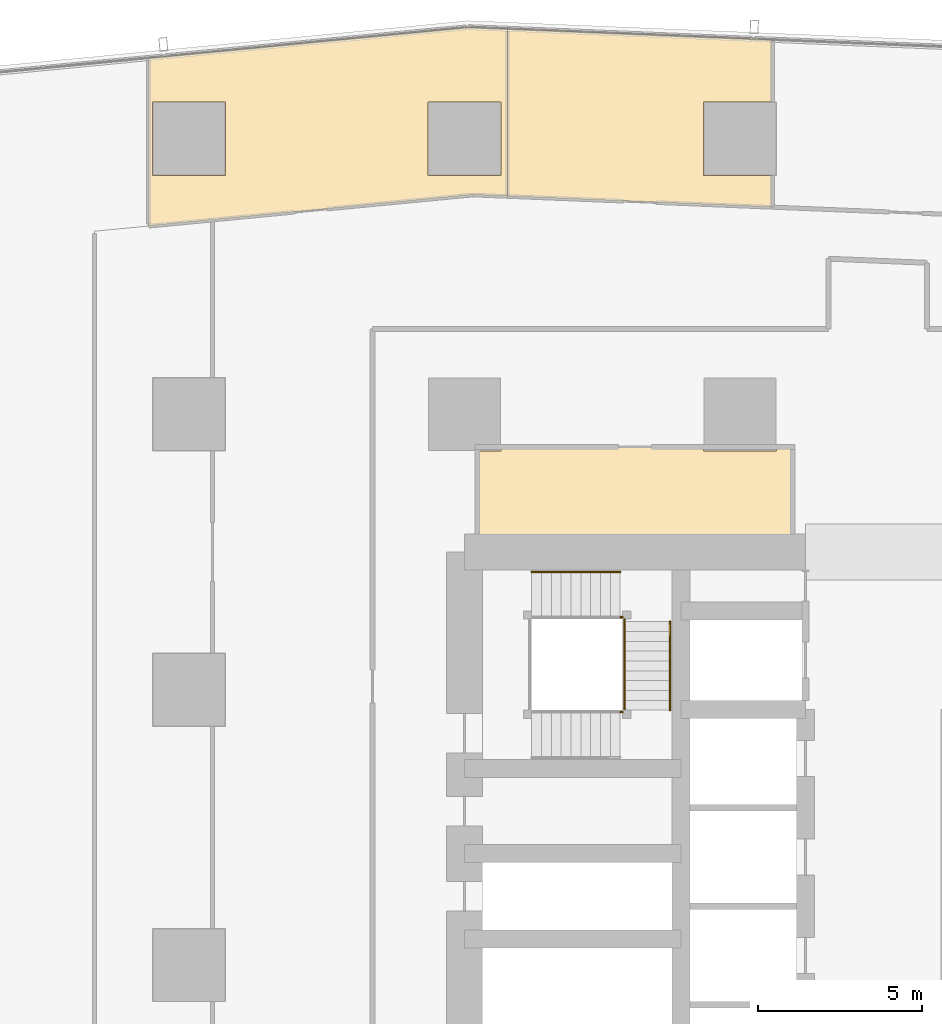
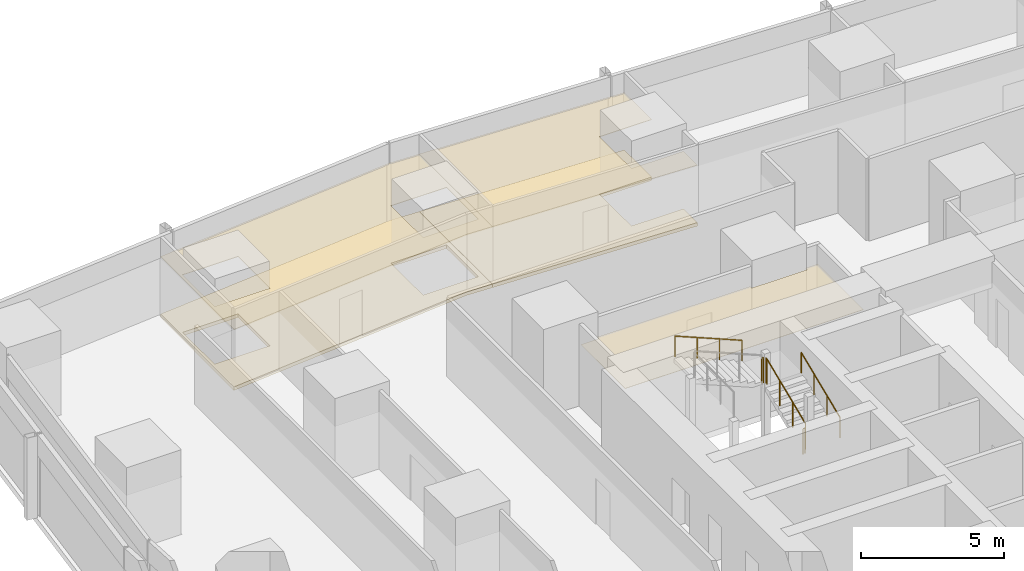
# One storey, part 41 of 44: 6 railings, 5 coverings.
"""IFC4 building model written with IfcOpenShell, lengths in metres."""

from ifc_helpers import new_model, si_unit, direction, frame, origin, origin_2d, place, context, subcontext, project, spatial, polyline, circle, outline, extrude, material, layer, layer_set, type_object, element, save


model = new_model("IFC4")

# Units and contexts
model_context = context("Model", 3, precision=1e-05, world=origin(), true_north=direction((0.0, 1.0)))
body_context = subcontext(model_context, "Body", "Model", "MODEL_VIEW")
ifc_project = project(units=[si_unit("LENGTHUNIT", "METRE"), si_unit("AREAUNIT", "SQUARE_METRE"), si_unit("VOLUMEUNIT", "CUBIC_METRE"), si_unit("PLANEANGLEUNIT", "RADIAN"), si_unit("MASSUNIT", "GRAM", prefix="KILO")], contexts=[model_context])

# Site, building, storey
site_placement = place(None, origin())
site = spatial("IfcSite", under=ifc_project, at=site_placement, CompositionType="ELEMENT")
building_placement = place(site_placement, origin())
building = spatial("IfcBuilding", under=site, at=building_placement, Name="Rekha Terrace Tower", CompositionType="ELEMENT")
storey_placement = place(building_placement, frame((0.0, 0.0, 62.89990234375)))
storey = spatial("IfcBuildingStorey", under=building, at=storey_placement, Name="L15", CompositionType="ELEMENT", Elevation=62.89990234375)

# Coverings
ifc_material_1 = material(Name="Mineral fibre tile in exposed grid", Category="finish")
ifc_layer_1 = layer(ifc_material_1, 0.02001953125)
ifc_layer_set_1 = layer_set([ifc_layer_1], Name="Mineral fibre tile in exposed grid")
covering_type_1 = type_object("IfcCoveringType", Name="CL1 600x1200 office grid ceiling", PredefinedType="CEILING", material=ifc_layer_set_1)
covering_1_placement = place(storey_placement, frame((0.0, 0.0, 2.580078125)))
element("IfcCovering", 1, at=covering_1_placement, inside=storey, type_object=covering_type_1, Name="Ceiling L15-18", PredefinedType="CEILING", context=body_context, shape_type="SweptSolid", body=[
    extrude(outline(polyline([(34.5830078125, 59.9150390625), (34.5830078125, 61.818115234375), (26.510009765625, 62.15087890625), (26.510009765625, 57.047119140625), (34.5830078125, 56.714111328125), (34.5830078125, 57.68505859375), (32.485107421875, 57.68505859375), (32.485107421875, 59.9150390625), (34.5830078125, 59.9150390625)])), origin(), (0.0, 0.0, 1.0), 0.02001953125),
])
covering_2_placement = place(storey_placement, frame((0.0, 0.0, 2.580078125)))
element("IfcCovering", 2, at=covering_2_placement, inside=storey, type_object=covering_type_1, Name="Ceiling L15-19", PredefinedType="CEILING", context=body_context, shape_type="SweptSolid", body=[
    extrude(outline(polyline([(25.325927734375, 62.199951171875), (15.572998046875, 61.261962890625), (15.572998046875, 56.138916015625), (25.466064453125, 57.090087890625), (26.509033203125, 57.047119140625), (26.509033203125, 62.15087890625), (25.325927734375, 62.199951171875)]), holes=[polyline([(26.31494140625, 57.68505859375), (24.0849609375, 57.68505859375), (24.0849609375, 59.9150390625), (26.31494140625, 59.9150390625), (26.31494140625, 57.68505859375)]), polyline([(17.9150390625, 57.68505859375), (15.68505859375, 57.68505859375), (15.68505859375, 59.9150390625), (17.9150390625, 59.9150390625), (17.9150390625, 57.68505859375)])]), origin(), (0.0, 0.0, 1.0), 0.02001953125),
])
ifc_material_2 = material(Name="Fibre cement board", Category="finish")
ifc_layer_2 = layer(ifc_material_2, 0.014892578125)
ifc_layer_set_2 = layer_set([ifc_layer_2], Name="Fibre cement board")
covering_type_2 = type_object("IfcCoveringType", Name="CL2 moisture-resistant board ceiling", PredefinedType="CEILING", material=ifc_layer_set_2)
covering_3_placement = place(storey_placement, frame((0.0, 0.0, 2.585205078125)))
element("IfcCovering", 3, at=covering_3_placement, inside=storey, type_object=covering_type_2, Name="Ceiling L15-WCF2", PredefinedType="CEILING", context=body_context, shape_type="SweptSolid", body=[
    extrude(outline(polyline([(26.31494140625, 49.284912109375), (25.60009765625, 49.284912109375), (25.60009765625, 46.199951171875), (35.199951171875, 46.199951171875), (35.199951171875, 49.39990234375), (34.715087890625, 49.39990234375), (34.715087890625, 49.284912109375), (32.485107421875, 49.284912109375), (32.485107421875, 49.39990234375), (26.31494140625, 49.39990234375), (26.31494140625, 49.284912109375)])), origin(), (0.0, 0.0, 1.0), 0.014892578125),
])

# Railings
ifc_material_3 = material(Name="Stainless steel balustrade", Category="steel")
railing_type_1 = type_object("IfcRailingType", Name="GR1 1100 stair guard", PredefinedType="GUARDRAIL", material=ifc_material_3)
railing_1_placement = place(storey_placement, frame((30.0849609375, 41.375, 1.375)))
element("IfcRailing", 4, at=railing_1_placement, inside=storey, type_object=railing_type_1, Name="Guard ST4 L15 flight 2", PredefinedType="GUARDRAIL", context=body_context, shape_type="SweptSolid", body=[
    extrude(circle(Radius=0.02392578125, at=origin_2d()), frame((0.0, 0.0, 1.076171875), z_axis=(0.0, 0.923074453586, 0.384621311341), x_axis=(-1.0, 0.0, 0.0)), (0.0, 0.0, 1.0), 2.925048828125),
    extrude(circle(Radius=0.02099609375, at=origin_2d()), origin(), (0.0, 0.0, 1.0), 1.052001953125),
    extrude(circle(Radius=0.02099609375, at=origin_2d()), frame((0.0, 0.89990234375, 0.375)), (0.0, 0.0, 1.0), 1.052001953125),
    extrude(circle(Radius=0.02099609375, at=origin_2d()), frame((0.0, 1.800048828125, 0.75)), (0.0, 0.0, 1.0), 1.052001953125),
    extrude(circle(Radius=0.02099609375, at=origin_2d()), frame((0.0, 2.699951171875, 1.125)), (0.0, 0.0, 1.0), 1.052001953125),
])
railing_2_placement = place(storey_placement, frame((29.949951171875, 41.31494140625, 1.25)))
element("IfcRailing", 5, at=railing_2_placement, inside=storey, type_object=railing_type_1, Name="Guard ST4 L15 landing 1", PredefinedType="GUARDRAIL", context=body_context, shape_type="SweptSolid", body=[
    extrude(circle(Radius=0.02392578125, at=origin_2d()), frame((0.0, 0.0, 1.076171875), z_axis=(1.0, 0.0, 0.0), x_axis=(0.0, 1.0, 0.0)), (0.0, 0.0, 1.0), 0.074951171875),
    extrude(circle(Radius=0.02099609375, at=origin_2d()), origin(), (0.0, 0.0, 1.0), 1.052001953125),
    extrude(circle(Radius=0.02099609375, at=origin_2d()), frame((0.074951171875, 0.0, 0.0)), (0.0, 0.0, 1.0), 1.052001953125),
])
railing_3_placement = place(storey_placement, frame((30.0849609375, 44.074951171875, 2.5)))
element("IfcRailing", 6, at=railing_3_placement, inside=storey, type_object=railing_type_1, Name="Guard ST4 L15 landing 2", PredefinedType="GUARDRAIL", context=body_context, shape_type="SweptSolid", body=[
    extrude(circle(Radius=0.02392578125, at=origin_2d()), frame((0.0, 0.0, 1.076171875), z_axis=(0.0, 1.0, 0.0), x_axis=(-1.0, 0.0, 0.0)), (0.0, 0.0, 1.0), 0.074951171875),
    extrude(circle(Radius=0.02099609375, at=origin_2d()), origin(), (0.0, 0.0, 1.0), 1.052001953125),
    extrude(circle(Radius=0.02099609375, at=origin_2d()), frame((0.0, 0.074951171875, 0.0)), (0.0, 0.0, 1.0), 1.052001953125),
])
railing_4_placement = place(storey_placement, frame((29.949951171875, 44.2099609375, 2.5)))
element("IfcRailing", 7, at=railing_4_placement, inside=storey, type_object=railing_type_1, Name="Guard ST4 L15 landing 3", PredefinedType="GUARDRAIL", context=body_context, shape_type="SweptSolid", body=[
    extrude(circle(Radius=0.02392578125, at=origin_2d()), frame((0.0, 0.0, 1.076171875), z_axis=(1.0, 0.0, 0.0), x_axis=(0.0, 1.0, 0.0)), (0.0, 0.0, 1.0), 0.074951171875),
    extrude(circle(Radius=0.02099609375, at=origin_2d()), origin(), (0.0, 0.0, 1.0), 1.052001953125),
    extrude(circle(Radius=0.02099609375, at=origin_2d()), frame((0.074951171875, 0.0, 0.0)), (0.0, 0.0, 1.0), 1.052001953125),
])
ifc_material_4 = material(Name="Stainless steel tube", Category="steel")
railing_type_2 = type_object("IfcRailingType", Name="HR1 900 stair handrail", PredefinedType="HANDRAIL", material=ifc_material_4)
railing_5_placement = place(storey_placement, frame((31.465087890625, 41.375, 1.375)))
element("IfcRailing", 8, at=railing_5_placement, inside=storey, type_object=railing_type_2, Name="Handrail ST4 L15 flight 2", PredefinedType="HANDRAIL", context=body_context, shape_type="SweptSolid", body=[
    extrude(circle(Radius=0.02392578125, at=origin_2d()), frame((0.0, 0.0, 0.8759765625), z_axis=(0.0, 0.923074453586, 0.384621311341), x_axis=(-1.0, 0.0, 0.0)), (0.0, 0.0, 1.0), 2.925048828125),
    extrude(circle(Radius=0.02099609375, at=origin_2d()), origin(), (0.0, 0.0, 1.0), 0.851806640625),
    extrude(circle(Radius=0.02099609375, at=origin_2d()), frame((0.0, 0.89990234375, 0.375)), (0.0, 0.0, 1.0), 0.851806640625),
    extrude(circle(Radius=0.02099609375, at=origin_2d()), frame((0.0, 1.800048828125, 0.75)), (0.0, 0.0, 1.0), 0.851806640625),
    extrude(circle(Radius=0.02099609375, at=origin_2d()), frame((0.0, 2.699951171875, 1.125)), (0.0, 0.0, 1.0), 0.851806640625),
])
railing_6_placement = place(storey_placement, frame((29.949951171875, 45.590087890625, 2.625)))
element("IfcRailing", 9, at=railing_6_placement, inside=storey, type_object=railing_type_2, Name="Handrail ST4 L15 flight 3", PredefinedType="HANDRAIL", context=body_context, shape_type="SweptSolid", body=[
    extrude(circle(Radius=0.02392578125, at=origin_2d()), frame((0.0, 0.0, 0.8759765625), z_axis=(-0.923074453586, 0.0, 0.384621311341), x_axis=(0.0, -1.0, 0.0)), (0.0, 0.0, 1.0), 2.925048828125),
    extrude(circle(Radius=0.02099609375, at=origin_2d()), origin(), (0.0, 0.0, 1.0), 0.851806640625),
    extrude(circle(Radius=0.02099609375, at=origin_2d()), frame((-0.89990234375, 0.0, 0.375)), (0.0, 0.0, 1.0), 0.851806640625),
    extrude(circle(Radius=0.02099609375, at=origin_2d()), frame((-1.800048828125, 0.0, 0.75)), (0.0, 0.0, 1.0), 0.851806640625),
    extrude(circle(Radius=0.02099609375, at=origin_2d()), frame((-2.699951171875, 0.0, 1.125)), (0.0, 0.0, 1.0), 0.851806640625),
])

# Coverings
ifc_material_5 = material(Name="Calcium sulphate panels on steel pedestals", Category="steel")
ifc_layer_3 = layer(ifc_material_5, 0.14990234375)
ifc_layer_set_3 = layer_set([ifc_layer_3], Name="Calcium sulphate panels on steel pedestals")
covering_type_3 = type_object("IfcCoveringType", Name="RF1 150 raised access floor", PredefinedType="FLOORING", material=ifc_layer_set_3)
covering_4_placement = place(storey_placement, origin())
element("IfcCovering", 10, at=covering_4_placement, inside=storey, type_object=covering_type_3, Name="Raised floor L15-18", PredefinedType="FLOORING", context=body_context, shape_type="SweptSolid", body=[
    extrude(outline(polyline([(34.5830078125, 59.9150390625), (34.5830078125, 61.818115234375), (26.510009765625, 62.15087890625), (26.510009765625, 57.047119140625), (34.5830078125, 56.714111328125), (34.5830078125, 57.68505859375), (32.485107421875, 57.68505859375), (32.485107421875, 59.9150390625), (34.5830078125, 59.9150390625)])), origin(), (0.0, 0.0, 1.0), 0.150146484375),
])
covering_5_placement = place(storey_placement, origin())
element("IfcCovering", 11, at=covering_5_placement, inside=storey, type_object=covering_type_3, Name="Raised floor L15-19", PredefinedType="FLOORING", context=body_context, shape_type="SweptSolid", body=[
    extrude(outline(polyline([(25.325927734375, 62.199951171875), (15.572998046875, 61.261962890625), (15.572998046875, 56.138916015625), (25.466064453125, 57.090087890625), (26.509033203125, 57.047119140625), (26.509033203125, 62.15087890625), (25.325927734375, 62.199951171875)]), holes=[polyline([(26.31494140625, 57.68505859375), (24.0849609375, 57.68505859375), (24.0849609375, 59.9150390625), (26.31494140625, 59.9150390625), (26.31494140625, 57.68505859375)]), polyline([(17.9150390625, 57.68505859375), (15.68505859375, 57.68505859375), (15.68505859375, 59.9150390625), (17.9150390625, 59.9150390625), (17.9150390625, 57.68505859375)])]), origin(), (0.0, 0.0, 1.0), 0.150146484375),
])

save(model, "model.ifc")
